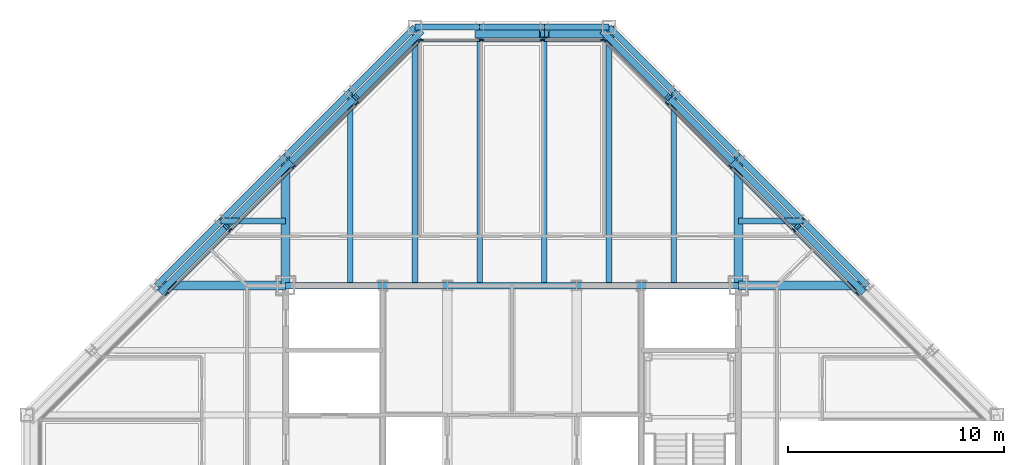
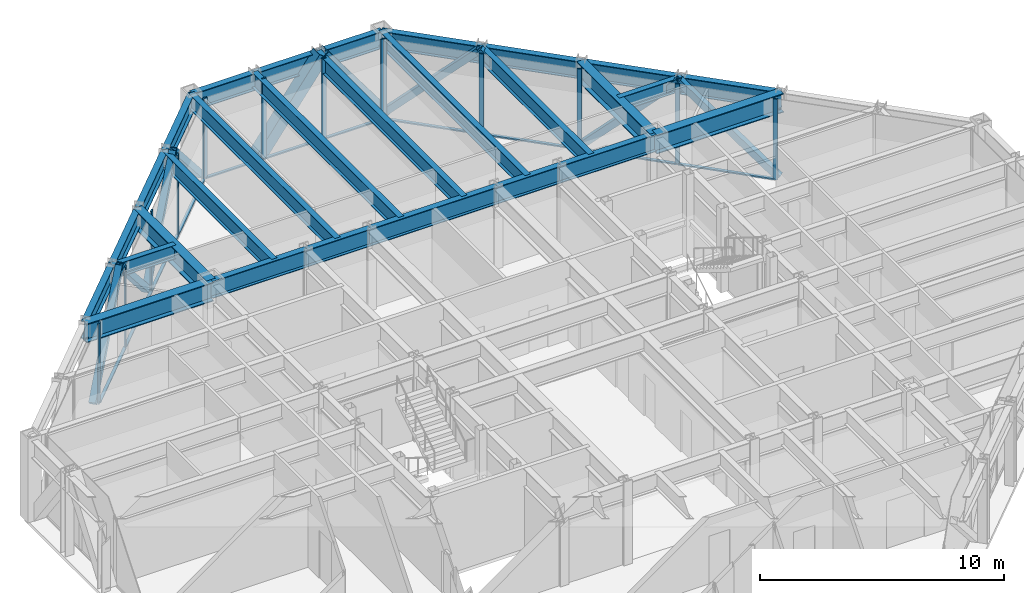
# One storey, part 8 of 15: 35 members, 28 beams, 3 elements without a shape of their own.
"""IFC4 building model written with IfcOpenShell, lengths in metres."""

from ifc_helpers import new_model, si_unit, direction, frame, origin, origin_2d, place, context, subcontext, project, spatial, rectangle, hollow_rectangle, i_section, extrude, material, layer, layer_set, material_profile, profile_set, type_object, element, aggregate, save


model = new_model("IFC4")

# Units and contexts
model_context = context("Model", 3, precision=1e-05, world=origin(), true_north=direction((0.0, 1.0)))
body_context = subcontext(model_context, "Body", "Model", "MODEL_VIEW")
ifc_project = project(units=[si_unit("LENGTHUNIT", "METRE"), si_unit("AREAUNIT", "SQUARE_METRE"), si_unit("VOLUMEUNIT", "CUBIC_METRE"), si_unit("PLANEANGLEUNIT", "RADIAN"), si_unit("MASSUNIT", "GRAM", prefix="KILO")], contexts=[model_context])

# Site, building, storey
site_placement = place(None, origin())
site = spatial("IfcSite", under=ifc_project, at=site_placement, CompositionType="ELEMENT")
building_placement = place(site_placement, origin())
building = spatial("IfcBuilding", under=site, at=building_placement, Name="Chuquiago Exchange Tower", CompositionType="ELEMENT")
storey_placement = place(building_placement, frame((0.0, 0.0, 295.800048828125)))
storey = spatial("IfcBuildingStorey", under=building, at=storey_placement, Name="L66", CompositionType="ELEMENT", Elevation=295.800048828125)

# Beams
ifc_material_1 = material(Name="Steel ASTM A992", Category="steel")
ifc_material_profile_1 = material_profile(ifc_material_1, i_section(OverallWidth=0.2919921875, OverallDepth=0.8583984375, WebThickness=0.01708984375, FlangeThickness=0.031005859375, at=origin_2d()), Name="W33X169")
ifc_profile_set_1 = profile_set([ifc_material_profile_1], Name="Steel ASTM A992")
beam_type_1 = type_object("IfcBeamType", Name="B3 W33X169", PredefinedType="BEAM", material=ifc_profile_set_1)
beam_1_placement = place(storey_placement, frame((12.0, 33.0, 3.610595703125), z_axis=(1.0, 0.0, 0.0), x_axis=(0.0, 1.0, 0.0)))
element("IfcBeam", 1, at=beam_1_placement, inside=storey, type_object=beam_type_1, Name="CB-L67-12_33-16.5_33", PredefinedType="BEAM", context=body_context, shape_type="SweptSolid", body=[
    extrude(i_section(OverallWidth=0.2919921875, OverallDepth=0.8583984375, WebThickness=0.01708984375, FlangeThickness=0.031005859375, at=origin_2d()), origin(), (0.0, 0.0, 1.0), 4.5),
])
beam_2_placement = place(storey_placement, frame((16.5, 33.0, 3.610595703125), z_axis=(1.0, 0.0, 0.0), x_axis=(0.0, 1.0, 0.0)))
element("IfcBeam", 2, at=beam_2_placement, inside=storey, type_object=beam_type_1, Name="CB-L67-16.5_33-19.5_33", PredefinedType="BEAM", context=body_context, shape_type="SweptSolid", body=[
    extrude(i_section(OverallWidth=0.2919921875, OverallDepth=0.8583984375, WebThickness=0.01708984375, FlangeThickness=0.031005859375, at=origin_2d()), origin(), (0.0, 0.0, 1.0), 3.0),
])
beam_3_placement = place(storey_placement, frame((19.5, 33.0, 3.610595703125), z_axis=(1.0, 0.0, 0.0), x_axis=(0.0, 1.0, 0.0)))
element("IfcBeam", 3, at=beam_3_placement, inside=storey, type_object=beam_type_1, Name="CB-L67-19.5_33-25.5_33", PredefinedType="BEAM", context=body_context, shape_type="SweptSolid", body=[
    extrude(i_section(OverallWidth=0.2919921875, OverallDepth=0.8583984375, WebThickness=0.01708984375, FlangeThickness=0.031005859375, at=origin_2d()), origin(), (0.0, 0.0, 1.0), 6.0),
])
beam_4_placement = place(storey_placement, frame((25.5, 33.0, 3.610595703125), z_axis=(1.0, 0.0, 0.0), x_axis=(0.0, 1.0, 0.0)))
element("IfcBeam", 4, at=beam_4_placement, inside=storey, type_object=beam_type_1, Name="CB-L67-25.5_33-28.5_33", PredefinedType="BEAM", context=body_context, shape_type="SweptSolid", body=[
    extrude(i_section(OverallWidth=0.2919921875, OverallDepth=0.8583984375, WebThickness=0.01708984375, FlangeThickness=0.031005859375, at=origin_2d()), origin(), (0.0, 0.0, 1.0), 3.0),
])
beam_5_placement = place(storey_placement, frame((28.5, 33.0, 3.610595703125), z_axis=(1.0, 0.0, 0.0), x_axis=(0.0, 1.0, 0.0)))
element("IfcBeam", 5, at=beam_5_placement, inside=storey, type_object=beam_type_1, Name="CB-L67-28.5_33-33_33", PredefinedType="BEAM", context=body_context, shape_type="SweptSolid", body=[
    extrude(i_section(OverallWidth=0.2919921875, OverallDepth=0.8583984375, WebThickness=0.01708984375, FlangeThickness=0.031005859375, at=origin_2d()), origin(), (0.0, 0.0, 1.0), 4.5),
])
ifc_material_2 = material(Name="Steel ASTM A992", Category="steel")
ifc_material_profile_2 = material_profile(ifc_material_2, i_section(OverallWidth=0.2666015625, OverallDepth=0.761962890625, WebThickness=0.014404296875, FlangeThickness=0.021484375, at=origin_2d()), Name="W30X116")
ifc_profile_set_2 = profile_set([ifc_material_profile_2], Name="Steel ASTM A992")
beam_type_2 = type_object("IfcBeamType", Name="B8 W30X116", PredefinedType="BEAM", material=ifc_profile_set_2)
beam_6_placement = place(storey_placement, frame((15.0, 33.0, 3.658935546875), z_axis=(0.0, 1.0, 0.0), x_axis=(-1.0, 0.0, 0.0)))
element("IfcBeam", 6, at=beam_6_placement, inside=storey, type_object=beam_type_2, Name="FB-L67-infill-15_33-15_42-0", PredefinedType="BEAM", context=body_context, shape_type="SweptSolid", body=[
    extrude(i_section(OverallWidth=0.2666015625, OverallDepth=0.761962890625, WebThickness=0.014404296875, FlangeThickness=0.021484375, at=origin_2d()), origin(), (0.0, 0.0, 1.0), 9.0),
])
for number, where, z_axis, x_axis, name in (
    (7, (18.0, 33.0, 3.658935546875), (0.0, 1.0, 0.0), (-1.0, 0.0, 0.0), "FB-L67-infill-18_33-18_45-0"),
    (8, (21.0, 33.0, 3.658935546875), (0.0, 1.0, 0.0), (-1.0, 0.0, 0.0), "FB-L67-infill-21_33-21_45-0"),
    (9, (24.0, 33.0, 3.658935546875), (0.0, 1.0, 0.0), (-1.0, 0.0, 0.0), "FB-L67-infill-24_33-24_45-0"),
    (10, (27.0, 33.0, 3.658935546875), (0.0, 1.0, 0.0), (-1.0, 0.0, 0.0), "FB-L67-infill-27_33-27_45-0"),
):
    element("IfcBeam", number, at=place(storey_placement, frame(where, z_axis=z_axis, x_axis=x_axis)), inside=storey, type_object=beam_type_2, Name=name, PredefinedType="BEAM", context=body_context, shape_type="SweptSolid", body=[
        extrude(i_section(OverallWidth=0.2666015625, OverallDepth=0.761962890625, WebThickness=0.014404296875, FlangeThickness=0.021484375, at=origin_2d()), origin(), (0.0, 0.0, 1.0), 12.0),
    ])
beam_7_placement = place(storey_placement, frame((30.0, 33.0, 3.658935546875), z_axis=(0.0, 1.0, 0.0), x_axis=(-1.0, 0.0, 0.0)))
element("IfcBeam", 11, at=beam_7_placement, inside=storey, type_object=beam_type_2, Name="FB-L67-infill-30_33-30_42-0", PredefinedType="BEAM", context=body_context, shape_type="SweptSolid", body=[
    extrude(i_section(OverallWidth=0.2666015625, OverallDepth=0.761962890625, WebThickness=0.014404296875, FlangeThickness=0.021484375, at=origin_2d()), origin(), (0.0, 0.0, 1.0), 9.0),
])
ifc_material_3 = material(Name="Steel ASTM A992", Category="steel")
ifc_material_profile_3 = material_profile(ifc_material_3, i_section(OverallWidth=0.256591796875, OverallDepth=0.693359375, WebThickness=0.014404296875, FlangeThickness=0.023681640625, at=origin_2d()), Name="W27X114")
ifc_profile_set_3 = profile_set([ifc_material_profile_3], Name="Steel ASTM A992")
beam_type_3 = type_object("IfcBeamType", Name="B9 W27X114", PredefinedType="BEAM", material=ifc_profile_set_3)
for number, where, z_axis, x_axis, name in (
    (12, (12.0, 36.0, 3.693359375), (-1.0, 0.0, 0.0), (0.0, -1.0, 0.0), "FB-L67-corner-12_36-9_36-0"),
    (13, (33.0, 36.0, 3.693359375), (1.0, 0.0, 0.0), (0.0, 1.0, 0.0), "FB-L67-corner-33_36-36_36-0"),
):
    element("IfcBeam", number, at=place(storey_placement, frame(where, z_axis=z_axis, x_axis=x_axis)), inside=storey, type_object=beam_type_3, Name=name, PredefinedType="BEAM", context=body_context, shape_type="SweptSolid", body=[
        extrude(i_section(OverallWidth=0.256591796875, OverallDepth=0.693359375, WebThickness=0.014404296875, FlangeThickness=0.023681640625, at=origin_2d()), origin(), (0.0, 0.0, 1.0), 3.0),
    ])

# Curtain wall, members
ifc_material_4 = material(Name="Aluminium curtain wall system", Category="aluminium")
ifc_layer_1 = layer(ifc_material_4, 0.22509765625)
ifc_layer_set_1 = layer_set([ifc_layer_1], Name="CW2 office curtain wall")
curtain_wall_type_1 = type_object("IfcCurtainWallType", Name="CW2 office curtain wall", PredefinedType="NOTDEFINED", material=ifc_layer_set_1)
curtain_wall_1_placement = place(storey_placement, origin())
curtain_wall_1 = element("IfcCurtainWall", 14, at=curtain_wall_1_placement, inside=storey, type_object=curtain_wall_type_1, Name="CW2 curtain wall L66", PredefinedType="NOTDEFINED")
ifc_material_5 = material(Name="Aluminium mullion, pale anodised", Category="aluminium")
ifc_material_profile_4 = material_profile(ifc_material_5, rectangle(XDim=0.06494140625, YDim=0.22509765625, at=origin_2d()), Name="AL 65x225")
ifc_profile_set_4 = profile_set([ifc_material_profile_4], Name="Aluminium mullion, pale anodised")
member_type_1 = type_object("IfcMemberType", Name="CW2-M mullion 65x225", PredefinedType="MULLION", material=ifc_profile_set_4)
member_1_placement = place(storey_placement, frame((26.718994140625, 44.39990234375, 0.0), z_axis=(0.0, 0.0, 1.0), x_axis=(0.0, -1.0, 0.0)))
member_1 = element("IfcMember", 15, at=member_1_placement, type_object=member_type_1, Name="CW2 mullion 1", PredefinedType="MULLION", context=body_context, shape_type="SweptSolid", body=[
    extrude(rectangle(XDim=0.06494140625, YDim=0.22509765625, at=origin_2d()), origin(), (0.0, 0.0, 1.0), 4.0400390625),
])
member_2_placement = place(storey_placement, frame((23.917236328125, 44.39990234375, 0.0), z_axis=(0.0, 0.0, 1.0), x_axis=(0.0, -1.0, 0.0)))
member_2 = element("IfcMember", 16, at=member_2_placement, type_object=member_type_1, Name="CW2 mullion 2", PredefinedType="MULLION", context=body_context, shape_type="SweptSolid", body=[
    extrude(rectangle(XDim=0.06494140625, YDim=0.22509765625, at=origin_2d()), origin(), (0.0, 0.0, 1.0), 4.0400390625),
])
member_3_placement = place(storey_placement, frame((21.082763671875, 44.39990234375, 0.0), z_axis=(0.0, 0.0, 1.0), x_axis=(0.0, -1.0, 0.0)))
member_3 = element("IfcMember", 17, at=member_3_placement, type_object=member_type_1, Name="CW2 mullion 3", PredefinedType="MULLION", context=body_context, shape_type="SweptSolid", body=[
    extrude(rectangle(XDim=0.06494140625, YDim=0.22509765625, at=origin_2d()), origin(), (0.0, 0.0, 1.0), 4.0400390625),
])
member_4_placement = place(storey_placement, frame((18.281005859375, 44.39990234375, 0.0), z_axis=(0.0, 0.0, 1.0), x_axis=(0.0, -1.0, 0.0)))
member_4 = element("IfcMember", 18, at=member_4_placement, type_object=member_type_1, Name="CW2 mullion 4", PredefinedType="MULLION", context=body_context, shape_type="SweptSolid", body=[
    extrude(rectangle(XDim=0.06494140625, YDim=0.22509765625, at=origin_2d()), origin(), (0.0, 0.0, 1.0), 4.0400390625),
])
ifc_material_6 = material(Name="Aluminium transom, pale anodised", Category="aluminium")
ifc_material_profile_5 = material_profile(ifc_material_6, rectangle(XDim=0.139892578125, YDim=0.06494140625, at=origin_2d()), Name="AL 140x65")
ifc_profile_set_5 = profile_set([ifc_material_profile_5], Name="Aluminium transom, pale anodised")
member_type_2 = type_object("IfcMemberType", Name="CW2-T transom 65x140", PredefinedType="MULLION", material=ifc_profile_set_5)
member_5_placement = place(storey_placement, frame((26.6865234375, 44.39990234375, 0.032470703125), z_axis=(-1.0, 0.0, 0.0), x_axis=(0.0, -1.0, 0.0)))
member_5 = element("IfcMember", 19, at=member_5_placement, type_object=member_type_2, Name="CW2 transom 1.1", PredefinedType="MULLION", context=body_context, shape_type="SweptSolid", body=[
    extrude(rectangle(XDim=0.139892578125, YDim=0.06494140625, at=origin_2d()), origin(), (0.0, 0.0, 1.0), 2.73681640625),
])
member_6_placement = place(storey_placement, frame((23.884765625, 44.39990234375, 0.032470703125), z_axis=(-1.0, 0.0, 0.0), x_axis=(0.0, -1.0, 0.0)))
member_6 = element("IfcMember", 20, at=member_6_placement, type_object=member_type_2, Name="CW2 transom 2.1", PredefinedType="MULLION", context=body_context, shape_type="SweptSolid", body=[
    extrude(rectangle(XDim=0.139892578125, YDim=0.06494140625, at=origin_2d()), origin(), (0.0, 0.0, 1.0), 2.76953125),
])
member_7_placement = place(storey_placement, frame((21.05029296875, 44.39990234375, 0.032470703125), z_axis=(-1.0, 0.0, 0.0), x_axis=(0.0, -1.0, 0.0)))
member_7 = element("IfcMember", 21, at=member_7_placement, type_object=member_type_2, Name="CW2 transom 3.1", PredefinedType="MULLION", context=body_context, shape_type="SweptSolid", body=[
    extrude(rectangle(XDim=0.139892578125, YDim=0.06494140625, at=origin_2d()), origin(), (0.0, 0.0, 1.0), 2.73681640625),
])
aggregate(curtain_wall_1, [member_1, member_2, member_3, member_4, member_5, member_6, member_7])

ifc_material_7 = material(Name="Aluminium curtain wall system", Category="aluminium")
ifc_layer_2 = layer(ifc_material_7, 0.199951171875)
ifc_layer_set_2 = layer_set([ifc_layer_2], Name="CW3 facet curtain wall")
curtain_wall_type_2 = type_object("IfcCurtainWallType", Name="CW3 facet curtain wall", PredefinedType="NOTDEFINED", material=ifc_layer_set_2)
curtain_wall_2_placement = place(storey_placement, origin())
curtain_wall_2 = element("IfcCurtainWall", 22, at=curtain_wall_2_placement, inside=storey, type_object=curtain_wall_type_2, Name="CW3 curtain wall L66", PredefinedType="NOTDEFINED")
ifc_material_8 = material(Name="Aluminium mullion, pale anodised", Category="aluminium")
ifc_material_profile_6 = material_profile(ifc_material_8, rectangle(XDim=0.06494140625, YDim=0.199951171875, at=origin_2d()), Name="AL 65x200")
ifc_profile_set_6 = profile_set([ifc_material_profile_6], Name="Aluminium mullion, pale anodised")
member_type_3 = type_object("IfcMemberType", Name="CW3-M mullion 65x200", PredefinedType="MULLION", material=ifc_profile_set_6)
member_8_placement = place(storey_placement, frame((38.51708984375, 32.63427734375, 0.0), z_axis=(0.0, 0.0, 1.0), x_axis=(-0.707106781187, -0.707106781187, 0.0)))
member_8 = element("IfcMember", 23, at=member_8_placement, type_object=member_type_3, Name="CW3 mullion 3", PredefinedType="MULLION", context=body_context, shape_type="SweptSolid", body=[
    extrude(rectangle(XDim=0.06494140625, YDim=0.199951171875, at=origin_2d()), origin(), (0.0, 0.0, 1.0), 4.0400390625),
])
member_9_placement = place(storey_placement, frame((35.57568359375, 35.57568359375, 0.0), z_axis=(0.0, 0.0, 1.0), x_axis=(-0.707106781187, -0.707106781187, 0.0)))
member_9 = element("IfcMember", 24, at=member_9_placement, type_object=member_type_3, Name="CW3 mullion 4", PredefinedType="MULLION", context=body_context, shape_type="SweptSolid", body=[
    extrude(rectangle(XDim=0.06494140625, YDim=0.199951171875, at=origin_2d()), origin(), (0.0, 0.0, 1.0), 4.0400390625),
])
member_10_placement = place(storey_placement, frame((32.63427734375, 38.51708984375, 0.0), z_axis=(0.0, 0.0, 1.0), x_axis=(-0.707106781187, -0.707106781187, 0.0)))
member_10 = element("IfcMember", 25, at=member_10_placement, type_object=member_type_3, Name="CW3 mullion 5", PredefinedType="MULLION", context=body_context, shape_type="SweptSolid", body=[
    extrude(rectangle(XDim=0.06494140625, YDim=0.199951171875, at=origin_2d()), origin(), (0.0, 0.0, 1.0), 4.0400390625),
])
member_11_placement = place(storey_placement, frame((29.69287109375, 41.45849609375, 0.0), z_axis=(0.0, 0.0, 1.0), x_axis=(-0.707106781187, -0.707106781187, 0.0)))
member_11 = element("IfcMember", 26, at=member_11_placement, type_object=member_type_3, Name="CW3 mullion 6", PredefinedType="MULLION", context=body_context, shape_type="SweptSolid", body=[
    extrude(rectangle(XDim=0.06494140625, YDim=0.199951171875, at=origin_2d()), origin(), (0.0, 0.0, 1.0), 4.0400390625),
])
member_12_placement = place(storey_placement, frame((26.7744140625, 44.376953125, 0.0), z_axis=(0.0, 0.0, 1.0), x_axis=(-0.707106781187, -0.707106781187, 0.0)))
member_12 = element("IfcMember", 27, at=member_12_placement, type_object=member_type_3, Name="CW3 mullion 7", PredefinedType="MULLION", context=body_context, shape_type="SweptSolid", body=[
    extrude(rectangle(XDim=0.06494140625, YDim=0.199951171875, at=origin_2d()), origin(), (0.0, 0.0, 1.0), 4.0400390625),
])

curtain_wall_3_placement = place(storey_placement, origin())
curtain_wall_3 = element("IfcCurtainWall", 28, at=curtain_wall_3_placement, inside=storey, type_object=curtain_wall_type_2, Name="CW3 curtain wall L66", PredefinedType="NOTDEFINED")
member_13_placement = place(storey_placement, frame((18.2255859375, 44.376953125, 0.0), z_axis=(0.0, 0.0, 1.0), x_axis=(0.707106781187, -0.707106781187, 0.0)))
member_13 = element("IfcMember", 29, at=member_13_placement, type_object=member_type_3, Name="CW3 mullion 1", PredefinedType="MULLION", context=body_context, shape_type="SweptSolid", body=[
    extrude(rectangle(XDim=0.06494140625, YDim=0.199951171875, at=origin_2d()), origin(), (0.0, 0.0, 1.0), 4.0400390625),
])
member_14_placement = place(storey_placement, frame((15.30712890625, 41.45849609375, 0.0), z_axis=(0.0, 0.0, 1.0), x_axis=(0.707106781187, -0.707106781187, 0.0)))
member_14 = element("IfcMember", 30, at=member_14_placement, type_object=member_type_3, Name="CW3 mullion 2", PredefinedType="MULLION", context=body_context, shape_type="SweptSolid", body=[
    extrude(rectangle(XDim=0.06494140625, YDim=0.199951171875, at=origin_2d()), origin(), (0.0, 0.0, 1.0), 4.0400390625),
])
member_15_placement = place(storey_placement, frame((12.36572265625, 38.51708984375, 0.0), z_axis=(0.0, 0.0, 1.0), x_axis=(0.707106781187, -0.707106781187, 0.0)))
member_15 = element("IfcMember", 31, at=member_15_placement, type_object=member_type_3, Name="CW3 mullion 3", PredefinedType="MULLION", context=body_context, shape_type="SweptSolid", body=[
    extrude(rectangle(XDim=0.06494140625, YDim=0.199951171875, at=origin_2d()), origin(), (0.0, 0.0, 1.0), 4.0400390625),
])
member_16_placement = place(storey_placement, frame((9.42431640625, 35.57568359375, 0.0), z_axis=(0.0, 0.0, 1.0), x_axis=(0.707106781187, -0.707106781187, 0.0)))
member_16 = element("IfcMember", 32, at=member_16_placement, type_object=member_type_3, Name="CW3 mullion 4", PredefinedType="MULLION", context=body_context, shape_type="SweptSolid", body=[
    extrude(rectangle(XDim=0.06494140625, YDim=0.199951171875, at=origin_2d()), origin(), (0.0, 0.0, 1.0), 4.0400390625),
])
member_17_placement = place(storey_placement, frame((6.48291015625, 32.63427734375, 0.0), z_axis=(0.0, 0.0, 1.0), x_axis=(0.707106781187, -0.707106781187, 0.0)))
member_17 = element("IfcMember", 33, at=member_17_placement, type_object=member_type_3, Name="CW3 mullion 5", PredefinedType="MULLION", context=body_context, shape_type="SweptSolid", body=[
    extrude(rectangle(XDim=0.06494140625, YDim=0.199951171875, at=origin_2d()), origin(), (0.0, 0.0, 1.0), 4.0400390625),
])

# Member
ifc_material_9 = material(Name="Aluminium transom, pale anodised", Category="aluminium")
ifc_material_profile_7 = material_profile(ifc_material_9, rectangle(XDim=0.139892578125, YDim=0.06494140625, at=origin_2d()), Name="AL 140x65")
ifc_profile_set_7 = profile_set([ifc_material_profile_7], Name="Aluminium transom, pale anodised")
member_type_4 = type_object("IfcMemberType", Name="CW3-T transom 65x140", PredefinedType="MULLION", material=ifc_profile_set_7)
member_18_placement = place(storey_placement, frame((38.494140625, 32.6572265625, 0.032470703125), z_axis=(-0.707106781187, 0.707106781187, 0.0), x_axis=(-0.707106781187, -0.707106781187, 0.0)))
member_18 = element("IfcMember", 34, at=member_18_placement, type_object=member_type_4, Name="CW3 transom 3.1", PredefinedType="MULLION", context=body_context, shape_type="SweptSolid", body=[
    extrude(rectangle(XDim=0.139892578125, YDim=0.06494140625, at=origin_2d()), origin(), (0.0, 0.0, 1.0), 4.094970703125),
])

member_19_placement = place(storey_placement, frame((35.552734375, 35.5986328125, 0.032470703125), z_axis=(-0.707106781187, 0.707106781187, 0.0), x_axis=(-0.707106781187, -0.707106781187, 0.0)))
member_19 = element("IfcMember", 35, at=member_19_placement, type_object=member_type_4, Name="CW3 transom 4.1", PredefinedType="MULLION", context=body_context, shape_type="SweptSolid", body=[
    extrude(rectangle(XDim=0.139892578125, YDim=0.06494140625, at=origin_2d()), origin(), (0.0, 0.0, 1.0), 4.094970703125),
])

member_20_placement = place(storey_placement, frame((32.611328125, 38.5400390625, 0.032470703125), z_axis=(-0.707106781187, 0.707106781187, 0.0), x_axis=(-0.707106781187, -0.707106781187, 0.0)))
member_20 = element("IfcMember", 36, at=member_20_placement, type_object=member_type_4, Name="CW3 transom 5.1", PredefinedType="MULLION", context=body_context, shape_type="SweptSolid", body=[
    extrude(rectangle(XDim=0.139892578125, YDim=0.06494140625, at=origin_2d()), origin(), (0.0, 0.0, 1.0), 4.094970703125),
])

member_21_placement = place(storey_placement, frame((29.669921875, 41.4814453125, 0.032470703125), z_axis=(-0.707106781187, 0.707106781187, 0.0), x_axis=(-0.707106781187, -0.707106781187, 0.0)))
member_21 = element("IfcMember", 37, at=member_21_placement, type_object=member_type_4, Name="CW3 transom 6.1", PredefinedType="MULLION", context=body_context, shape_type="SweptSolid", body=[
    extrude(rectangle(XDim=0.139892578125, YDim=0.06494140625, at=origin_2d()), origin(), (0.0, 0.0, 1.0), 4.0625),
])

aggregate(curtain_wall_2, [member_8, member_9, member_10, member_11, member_12, member_18, member_19, member_20, member_21])

member_22_placement = place(storey_placement, frame((18.20263671875, 44.35400390625, 0.032470703125), z_axis=(-0.707106781187, -0.707106781187, 0.0), x_axis=(0.707106781187, -0.707106781187, 0.0)))
member_22 = element("IfcMember", 38, at=member_22_placement, type_object=member_type_4, Name="CW3 transom 1.1", PredefinedType="MULLION", context=body_context, shape_type="SweptSolid", body=[
    extrude(rectangle(XDim=0.139892578125, YDim=0.06494140625, at=origin_2d()), origin(), (0.0, 0.0, 1.0), 4.0625),
])

member_23_placement = place(storey_placement, frame((15.2841796875, 41.435546875, 0.032470703125), z_axis=(-0.707106781187, -0.707106781187, 0.0), x_axis=(0.707106781187, -0.707106781187, 0.0)))
member_23 = element("IfcMember", 39, at=member_23_placement, type_object=member_type_4, Name="CW3 transom 2.1", PredefinedType="MULLION", context=body_context, shape_type="SweptSolid", body=[
    extrude(rectangle(XDim=0.139892578125, YDim=0.06494140625, at=origin_2d()), origin(), (0.0, 0.0, 1.0), 4.094970703125),
])

member_24_placement = place(storey_placement, frame((12.3427734375, 38.494140625, 0.032470703125), z_axis=(-0.707106781187, -0.707106781187, 0.0), x_axis=(0.707106781187, -0.707106781187, 0.0)))
member_24 = element("IfcMember", 40, at=member_24_placement, type_object=member_type_4, Name="CW3 transom 3.1", PredefinedType="MULLION", context=body_context, shape_type="SweptSolid", body=[
    extrude(rectangle(XDim=0.139892578125, YDim=0.06494140625, at=origin_2d()), origin(), (0.0, 0.0, 1.0), 4.094970703125),
])

member_25_placement = place(storey_placement, frame((9.4013671875, 35.552734375, 0.032470703125), z_axis=(-0.707106781187, -0.707106781187, 0.0), x_axis=(0.707106781187, -0.707106781187, 0.0)))
member_25 = element("IfcMember", 41, at=member_25_placement, type_object=member_type_4, Name="CW3 transom 4.1", PredefinedType="MULLION", context=body_context, shape_type="SweptSolid", body=[
    extrude(rectangle(XDim=0.139892578125, YDim=0.06494140625, at=origin_2d()), origin(), (0.0, 0.0, 1.0), 4.094970703125),
])

aggregate(curtain_wall_3, [member_13, member_14, member_15, member_16, member_17, member_22, member_23, member_24, member_25])

# Beams
ifc_material_10 = material(Name="Steel ASTM A992", Category="steel")
ifc_material_profile_8 = material_profile(ifc_material_10, i_section(OverallWidth=0.424072265625, OverallDepth=0.947509765625, WebThickness=0.02392578125, FlangeThickness=0.042724609375, at=origin_2d()), Name="W36X302")
ifc_profile_set_8 = profile_set([ifc_material_profile_8], Name="Steel ASTM A992")
beam_type_4 = type_object("IfcBeamType", Name="G4 W36X302", PredefinedType="BEAM", material=ifc_profile_set_8)
for number, where, z_axis, x_axis, name in (
    (42, (12.0, 33.0, 3.566162109375), (0.0, 1.0, 0.0), (-1.0, 0.0, 0.0), "FB-L67-girder-12_33-12_39-0"),
    (43, (33.0, 33.0, 3.566162109375), (0.0, 1.0, 0.0), (-1.0, 0.0, 0.0), "FB-L67-girder-33_33-33_39-0"),
    (44, (33.0, 33.0, 3.566162109375), (1.0, 0.0, 0.0), (0.0, 1.0, 0.0), "FB-L67-girder-33_33-39_33-0"),
    (45, (12.0, 33.0, 3.566162109375), (-1.0, 0.0, 0.0), (0.0, -1.0, 0.0), "FB-L67-girder-12_33-6_33-0"),
):
    element("IfcBeam", number, at=place(storey_placement, frame(where, z_axis=z_axis, x_axis=x_axis)), inside=storey, type_object=beam_type_4, Name=name, PredefinedType="BEAM", context=body_context, shape_type="SweptSolid", body=[
        extrude(i_section(OverallWidth=0.424072265625, OverallDepth=0.947509765625, WebThickness=0.02392578125, FlangeThickness=0.042724609375, at=origin_2d()), origin(), (0.0, 0.0, 1.0), 6.0),
    ])

# Members
ifc_material_11 = material(Name="Steel ASTM A500 Grade C", Category="steel")
ifc_material_profile_9 = material_profile(ifc_material_11, hollow_rectangle(XDim=0.3046875, YDim=0.3046875, WallThickness=0.0146484375, at=origin_2d()), Name="HSS12X12X5/8")
ifc_profile_set_9 = profile_set([ifc_material_profile_9], Name="Steel ASTM A500 Grade C")
member_type_5 = type_object("IfcMemberType", Name="LB3 HSS12X12X5/8", PredefinedType="BRACE", material=ifc_profile_set_9)
for number, where, z_axis, x_axis, name in (
    (46, (38.750732421875, 32.750732421875, 0.0), (-0.512077265487, 0.512077265487, 0.689604051861), (-0.707106781187, -0.707106781187, 0.0), "LB-L66-39_33-36_36"),
    (47, (32.750732421875, 38.750732421875, 0.0), (0.512077265487, -0.512077265487, 0.689604051861), (0.707106781187, 0.707106781187, 0.0), "LB-L66-36_36-33_39"),
    (48, (32.750732421875, 38.750732421875, 0.0), (-0.512077265487, 0.512077265487, 0.689604051861), (-0.707106781187, -0.707106781187, 0.0), "LB-L66-33_39-30_42"),
    (49, (26.750732421875, 44.750732421875, 0.0), (0.512077265487, -0.512077265487, 0.689604051861), (0.707106781187, 0.707106781187, 0.0), "LB-L66-30_42-27_45"),
    (50, (18.249267578125, 44.750732421875, 0.0), (-0.512077265487, -0.512077265487, 0.689604051861), (0.707106781187, -0.707106781187, 0.0), "LB-L66-18_45-15_42"),
    (51, (12.249267578125, 38.750732421875, 0.0), (0.512077265487, 0.512077265487, 0.689604051861), (-0.707106781187, 0.707106781187, 0.0), "LB-L66-15_42-12_39"),
    (52, (12.249267578125, 38.750732421875, 0.0), (-0.512077265487, -0.512077265487, 0.689604051861), (0.707106781187, -0.707106781187, 0.0), "LB-L66-12_39-9_36"),
    (53, (6.249267578125, 32.750732421875, 0.0), (0.512077265487, 0.512077265487, 0.689604051861), (-0.707106781187, 0.707106781187, 0.0), "LB-L66-9_36-6_33"),
):
    element("IfcMember", number, at=place(storey_placement, frame(where, z_axis=z_axis, x_axis=x_axis)), inside=storey, type_object=member_type_5, Name=name, PredefinedType="BRACE", context=body_context, shape_type="SweptSolid", body=[
        extrude(hollow_rectangle(XDim=0.3046875, YDim=0.3046875, WallThickness=0.0146484375, at=origin_2d()), origin(), (0.0, 0.0, 1.0), 5.8583984375),
    ])
ifc_material_12 = material(Name="Steel ASTM A572 Grade 50", Category="steel")
ifc_material_profile_10 = material_profile(ifc_material_12, hollow_rectangle(XDim=0.550048828125, YDim=0.550048828125, WallThickness=0.044921875, at=origin_2d()), Name="BOX550X550X45")
ifc_profile_set_10 = profile_set([ifc_material_profile_10], Name="Steel ASTM A572 Grade 50")
member_type_6 = type_object("IfcMemberType", Name="MB4 BOX550X550X45", PredefinedType="BRACE", material=ifc_profile_set_10)
for number, where, z_axis, x_axis, name in (
    (54, (27.0, 44.77001953125, 0.0), (-0.596173923302, 0.0, 0.802855312728), (0.0, -1.0, 0.0), "Mega diagonal L66 N face"),
    (55, (21.0, 44.77001953125, 0.0), (0.596173923302, 0.0, 0.802855312728), (0.0, 1.0, 0.0), "Mega diagonal L66 N face"),
):
    element("IfcMember", number, at=place(storey_placement, frame(where, z_axis=z_axis, x_axis=x_axis)), inside=storey, type_object=member_type_6, Name=name, PredefinedType="BRACE", context=body_context, shape_type="SweptSolid", body=[
        extrude(hollow_rectangle(XDim=0.550048828125, YDim=0.550048828125, WallThickness=0.044921875, at=origin_2d()), origin(), (0.0, 0.0, 1.0), 5.031982421875),
    ])

# Beams
ifc_material_13 = material(Name="Steel ASTM A992", Category="steel")
ifc_material_profile_11 = material_profile(ifc_material_13, i_section(OverallWidth=0.2919921875, OverallDepth=0.8583984375, WebThickness=0.01708984375, FlangeThickness=0.031005859375, at=origin_2d()), Name="W33X169")
ifc_profile_set_11 = profile_set([ifc_material_profile_11], Name="Steel ASTM A992")
beam_type_5 = type_object("IfcBeamType", Name="SP4 W33X169", PredefinedType="SPANDREL", material=ifc_profile_set_11)
for number, where, z_axis, x_axis, name in (
    (56, (39.0, 33.0, 3.610595703125), (-0.707106781187, 0.707106781187, 0.0), (-0.707106781187, -0.707106781187, 0.0), "SPB-L67-39_33-36_36"),
    (57, (36.0, 36.0, 3.610595703125), (-0.707106781187, 0.707106781187, 0.0), (-0.707106781187, -0.707106781187, 0.0), "SPB-L67-36_36-33_39"),
    (58, (33.0, 39.0, 3.610595703125), (-0.707106781187, 0.707106781187, 0.0), (-0.707106781187, -0.707106781187, 0.0), "SPB-L67-33_39-30_42"),
    (59, (30.0, 42.0, 3.610595703125), (-0.707106781187, 0.707106781187, 0.0), (-0.707106781187, -0.707106781187, 0.0), "SPB-L67-30_42-27_45"),
):
    element("IfcBeam", number, at=place(storey_placement, frame(where, z_axis=z_axis, x_axis=x_axis)), inside=storey, type_object=beam_type_5, Name=name, PredefinedType="SPANDREL", context=body_context, shape_type="SweptSolid", body=[
        extrude(i_section(OverallWidth=0.2919921875, OverallDepth=0.8583984375, WebThickness=0.01708984375, FlangeThickness=0.031005859375, at=origin_2d()), origin(), (0.0, 0.0, 1.0), 4.24267578125),
    ])
for number, where, z_axis, x_axis, name in (
    (60, (27.0, 45.0, 3.610595703125), (-1.0, 0.0, 0.0), (0.0, -1.0, 0.0), "SPB-L67-27_45-24_45"),
    (61, (24.0, 45.0, 3.610595703125), (-1.0, 0.0, 0.0), (0.0, -1.0, 0.0), "SPB-L67-24_45-21_45"),
    (62, (21.0, 45.0, 3.610595703125), (-1.0, 0.0, 0.0), (0.0, -1.0, 0.0), "SPB-L67-21_45-18_45"),
):
    element("IfcBeam", number, at=place(storey_placement, frame(where, z_axis=z_axis, x_axis=x_axis)), inside=storey, type_object=beam_type_5, Name=name, PredefinedType="SPANDREL", context=body_context, shape_type="SweptSolid", body=[
        extrude(i_section(OverallWidth=0.2919921875, OverallDepth=0.8583984375, WebThickness=0.01708984375, FlangeThickness=0.031005859375, at=origin_2d()), origin(), (0.0, 0.0, 1.0), 3.0),
    ])
for number, where, z_axis, x_axis, name in (
    (63, (18.0, 45.0, 3.610595703125), (-0.707106781187, -0.707106781187, 0.0), (0.707106781187, -0.707106781187, 0.0), "SPB-L67-18_45-15_42"),
    (64, (15.0, 42.0, 3.610595703125), (-0.707106781187, -0.707106781187, 0.0), (0.707106781187, -0.707106781187, 0.0), "SPB-L67-15_42-12_39"),
    (65, (12.0, 39.0, 3.610595703125), (-0.707106781187, -0.707106781187, 0.0), (0.707106781187, -0.707106781187, 0.0), "SPB-L67-12_39-9_36"),
    (66, (9.0, 36.0, 3.610595703125), (-0.707106781187, -0.707106781187, 0.0), (0.707106781187, -0.707106781187, 0.0), "SPB-L67-9_36-6_33"),
):
    element("IfcBeam", number, at=place(storey_placement, frame(where, z_axis=z_axis, x_axis=x_axis)), inside=storey, type_object=beam_type_5, Name=name, PredefinedType="SPANDREL", context=body_context, shape_type="SweptSolid", body=[
        extrude(i_section(OverallWidth=0.2919921875, OverallDepth=0.8583984375, WebThickness=0.01708984375, FlangeThickness=0.031005859375, at=origin_2d()), origin(), (0.0, 0.0, 1.0), 4.24267578125),
    ])

save(model, "model.ifc")
